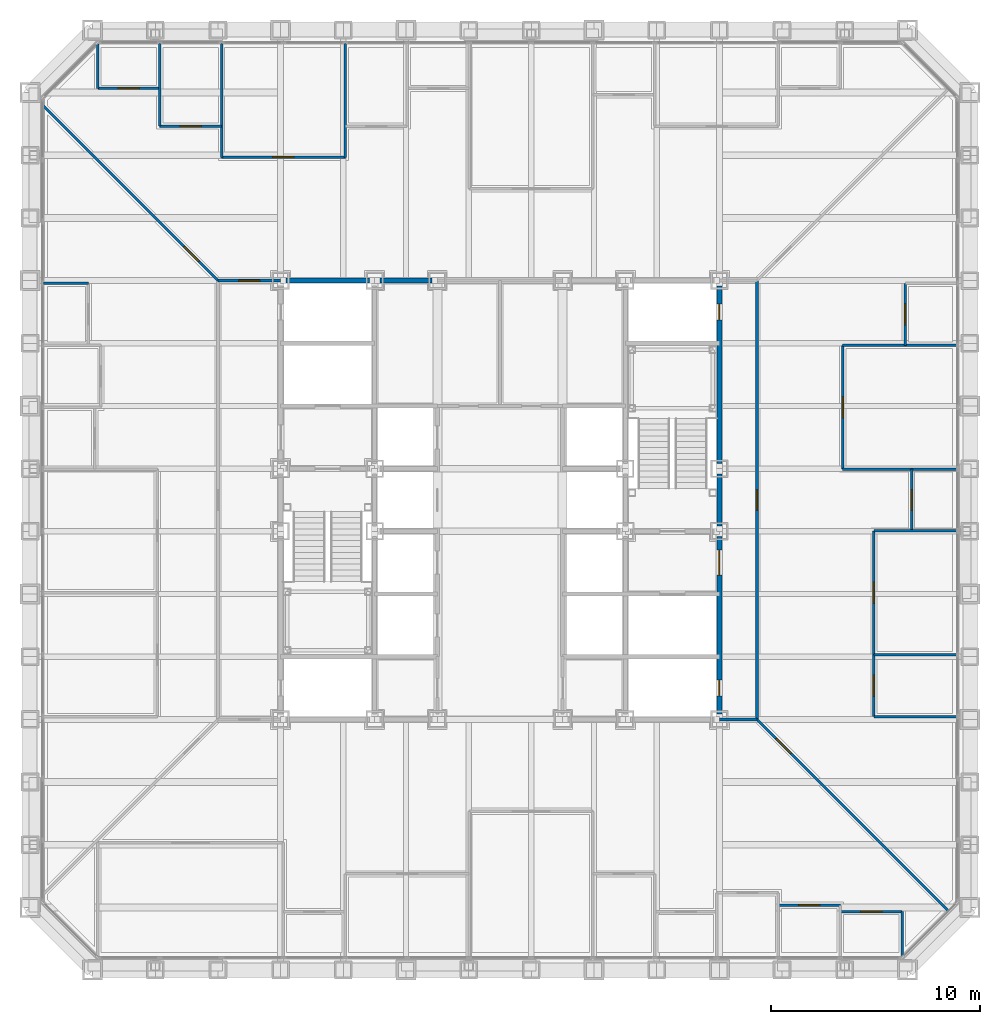
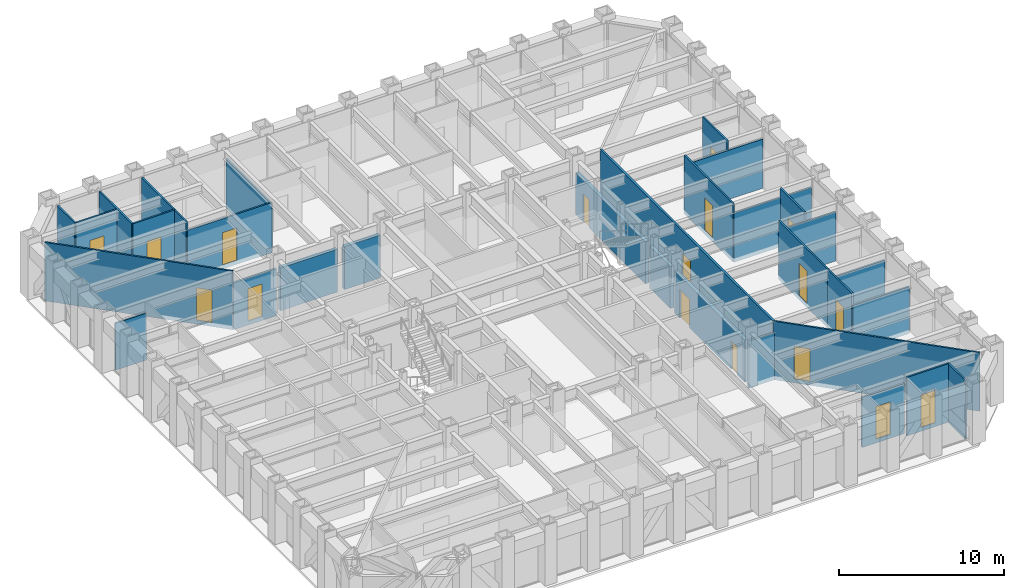
# One storey, part 10 of 17: 31 walls, 17 doors, 17 openings.
"""IFC4 building model written with IfcOpenShell, lengths in metres."""

import ifcopenshell
import ifcopenshell.guid

model = None  # the IFC model being written
_history = None  # IfcOwnerHistory: only IFC2X3 demands one
_inside = {}  # id of a spatial element -> (the spatial element, [elements in it])
_under = {}  # id of a project, library or spatial element -> (it, [spatial elements below it])
_declared = {}  # id of a project -> (the project, [libraries it declares])
_typed = {}  # id of a type object -> (the type object, [elements of that type])
_made_of = {}  # id of a material, layer set ... -> (it, [elements and type objects made of it])


def new_model(schema):
    """Start an empty IFC model of exactly this schema.

    Asked for "IFC4X3", IfcOpenShell would pick the latest addendum, in which some entities
    have other attributes; the version numbers below select the first issue.
    IFC2X3 requires an IfcOwnerHistory on every rooted entity: one is made here for all.
    """
    global model, _history
    if schema == "IFC4X3":
        model = ifcopenshell.file(schema_version=(4, 3, 0, 0))
    else:
        model = ifcopenshell.file(schema=schema)
    _inside.clear()
    _under.clear()
    _declared.clear()
    _typed.clear()
    _made_of.clear()
    _history = None
    if model.schema == "IFC2X3":
        org = make("IfcOrganization", Name="unknown")
        user = make(
            "IfcPersonAndOrganization",
            ThePerson=make("IfcPerson", FamilyName="unknown"),
            TheOrganization=org,
        )
        app = make(
            "IfcApplication",
            ApplicationDeveloper=org,
            Version="unknown",
            ApplicationFullName="unknown",
            ApplicationIdentifier="unknown",
        )
        _history = make(
            "IfcOwnerHistory",
            OwningUser=user,
            OwningApplication=app,
            ChangeAction="ADDED",
            CreationDate=0,
        )
    return model


def make(cls, **values):
    """One entity of the class cls with the attributes given. An attribute that is None is left unset."""
    return model.create_entity(
        cls, **{name: value for name, value in values.items() if value is not None}
    )


def rooted(cls, **values):
    """An entity with a GlobalId (a new one), such as an element, a storey or a relation."""
    return make(cls, GlobalId=ifcopenshell.guid.new(), OwnerHistory=_history, **values)


def si_unit(unit_type, name, prefix=None):
    """IfcSIUnit, for example si_unit("LENGTHUNIT", "METRE", prefix="MILLI")."""
    return make("IfcSIUnit", UnitType=unit_type, Prefix=prefix, Name=name)


def assignment(units):
    """IfcUnitAssignment: the units of a project."""
    return None if units is None else make("IfcUnitAssignment", Units=units)


def point(xyz):
    """IfcCartesianPoint."""
    return None if xyz is None else make("IfcCartesianPoint", Coordinates=xyz)


def direction(xyz):
    """IfcDirection."""
    return None if xyz is None else make("IfcDirection", DirectionRatios=xyz)


def frame(location, z_axis=None, x_axis=None):
    """IfcAxis2Placement3D, a coordinate frame: its origin and axes. An axis left out is left unset."""
    return make(
        "IfcAxis2Placement3D",
        Location=point(location),
        Axis=direction(z_axis),
        RefDirection=direction(x_axis),
    )


def frame_2d(location, x_axis=None):
    """IfcAxis2Placement2D, a coordinate frame in the plane: its origin and x axis."""
    return make(
        "IfcAxis2Placement2D", Location=point(location), RefDirection=direction(x_axis)
    )


def origin():
    """The frame at (0, 0, 0) with its axes left unset."""
    return frame((0.0, 0.0, 0.0))


def place(relative_to, where):
    """IfcLocalPlacement: puts the frame where relative to a parent placement (None: the world)."""
    return make(
        "IfcLocalPlacement", PlacementRelTo=relative_to, RelativePlacement=where
    )


def context(
    kind, dimensions, precision=None, world=None, true_north=None, identifier=None
):
    """IfcGeometricRepresentationContext, for example the 3D "Model" context."""
    return make(
        "IfcGeometricRepresentationContext",
        ContextIdentifier=identifier,
        ContextType=kind,
        CoordinateSpaceDimension=dimensions,
        Precision=precision,
        WorldCoordinateSystem=world,
        TrueNorth=true_north,
    )


def subcontext(parent, identifier, kind, view, scale=None):
    """IfcGeometricRepresentationSubContext, for example "Body" below "Model"."""
    return make(
        "IfcGeometricRepresentationSubContext",
        ContextIdentifier=identifier,
        ContextType=kind,
        ParentContext=parent,
        TargetScale=scale,
        TargetView=view,
    )


def project(units=None, contexts=None):
    """IfcProject with its units and contexts."""
    return rooted(
        "IfcProject",
        Name="project",
        RepresentationContexts=contexts,
        UnitsInContext=assignment(units),
    )


def spatial(cls, under=None, at=None, **own):
    """A site, building, storey or space (cls), placed at a placement, below another one or the project."""
    s = rooted(cls, ObjectPlacement=at, **own)
    if under is not None:
        _under.setdefault(under.id(), (under, []))[1].append(s)
    return s


def profile(cls, at=None, kind="AREA", **sizes):
    """A parametric profile (cls). Its sizes go by their IFC names, for example OverallWidth=200.0."""
    return make(cls, ProfileType=kind, Position=at, **sizes)


def rectangle(**sizes):
    """IfcRectangleProfileDef."""
    return profile("IfcRectangleProfileDef", **sizes)


def extrude(swept, where, along, depth):
    """IfcExtrudedAreaSolid: the profile swept, set in the frame where, extruded along a direction by depth."""
    return make(
        "IfcExtrudedAreaSolid",
        SweptArea=swept,
        Position=where,
        ExtrudedDirection=direction(along),
        Depth=depth,
    )


def shape(context_of_items, identifier, shape_type, items):
    """IfcShapeRepresentation: the items that make up one representation, for example the "Body"."""
    return make(
        "IfcShapeRepresentation",
        ContextOfItems=context_of_items,
        RepresentationIdentifier=identifier,
        RepresentationType=shape_type,
        Items=items,
    )


def material(Name=None, Category=None):
    """IfcMaterial."""
    return make("IfcMaterial", Name=Name, Category=Category)


def layer(
    of_material, thickness, ventilated=None, Name=None, Category=None, Priority=None
):
    """IfcMaterialLayer: one layer of a wall or slab, of a material (None: an air gap)."""
    return make(
        "IfcMaterialLayer",
        Material=of_material,
        LayerThickness=thickness,
        IsVentilated=ventilated,
        Name=Name,
        Category=Category,
        Priority=Priority,
    )


def layer_set(layers, Name=None):
    """IfcMaterialLayerSet."""
    return make("IfcMaterialLayerSet", MaterialLayers=layers, LayerSetName=Name)


def made_of(thing, what):
    """Note that an element or type object is made of a material, layer set ...; save() writes the relation."""
    if what is not None:
        _made_of.setdefault(what.id(), (what, []))[1].append(thing)
    return thing


def type_object(cls, material=None, **own):
    """A type object (cls), such as IfcWallType, which elements share."""
    return made_of(rooted(cls, **own), material)


def element(
    cls,
    number,
    at=None,
    inside=None,
    cuts=None,
    type_object=None,
    material=None,
    context=None,
    identifier="Body",
    shape_type=None,
    held_by="IfcProductDefinitionShape",
    body=None,
    shapes=None,
    **own,
):
    """One element of the class cls, such as IfcWall. Its Tag is "e" and its number.

    at: its placement. inside: the storey or other place that contains it. cuts: it is an
    opening in that element (IfcRelVoidsElement). A single representation is given by context,
    identifier, shape_type and body (its items); several are given by shapes. held_by: the class
    of the entity that holds the representations. save() writes the other relations.
    """
    e = rooted(cls, Tag="e%d" % number, ObjectPlacement=at, **own)
    if body is not None:
        shapes = [shape(context, identifier, shape_type, body)]
    if shapes is not None:
        e.Representation = make(held_by, Representations=shapes)
    if inside is not None:
        _inside.setdefault(inside.id(), (inside, []))[1].append(e)
    if cuts is not None:
        rooted(
            "IfcRelVoidsElement", RelatingBuildingElement=cuts, RelatedOpeningElement=e
        )
    if type_object is not None:
        _typed.setdefault(type_object.id(), (type_object, []))[1].append(e)
    return made_of(e, material)


def fill(opening, filler):
    """IfcRelFillsElement: the door or window that sits in an opening."""
    return rooted(
        "IfcRelFillsElement",
        RelatingOpeningElement=opening,
        RelatedBuildingElement=filler,
    )


def aggregate(whole, parts):
    """IfcRelAggregates: a whole, such as a stair, and the parts it consists of."""
    return rooted("IfcRelAggregates", RelatingObject=whole, RelatedObjects=parts)


def save(model, path):
    """Write the relations noted so far, then the file.

    IfcRelAggregates (storeys below a building ...), IfcRelContainedInSpatialStructure (elements
    in a storey), IfcRelDefinesByType, IfcRelAssociatesMaterial and IfcRelDeclares: one each for
    every whole, place, type object, material and project.
    """
    for whole, parts in _under.values():
        aggregate(whole, parts)
    for where, things in _inside.values():
        rooted(
            "IfcRelContainedInSpatialStructure",
            RelatedElements=things,
            RelatingStructure=where,
        )
    for kind, things in _typed.values():
        rooted("IfcRelDefinesByType", RelatedObjects=things, RelatingType=kind)
    for what, things in _made_of.values():
        rooted("IfcRelAssociatesMaterial", RelatedObjects=things, RelatingMaterial=what)
    for by, libraries in _declared.values():
        rooted("IfcRelDeclares", RelatingContext=by, RelatedDefinitions=libraries)
    model.write(path)


model = new_model("IFC4")

# Units and contexts
model_context = context("Model", 3, precision=1e-05, world=origin(), true_north=direction((0.0, 1.0)))
body_context = subcontext(model_context, "Body", "Model", "MODEL_VIEW")
ifc_project = project(units=[si_unit("LENGTHUNIT", "METRE"), si_unit("AREAUNIT", "SQUARE_METRE"), si_unit("VOLUMEUNIT", "CUBIC_METRE"), si_unit("PLANEANGLEUNIT", "RADIAN"), si_unit("MASSUNIT", "GRAM", prefix="KILO")], contexts=[model_context])

# Site, building, storey
site_placement = place(None, origin())
site = spatial("IfcSite", under=ifc_project, at=site_placement, CompositionType="ELEMENT")
building_placement = place(site_placement, origin())
building = spatial("IfcBuilding", under=site, at=building_placement, Name="Chuquiago Exchange Tower", CompositionType="ELEMENT")
storey_placement = place(building_placement, frame((0.0, 0.0, 87.300048828125)))
storey = spatial("IfcBuildingStorey", under=building, at=storey_placement, Name="L18", CompositionType="ELEMENT", Elevation=87.300048828125)

# Walls
ifc_material_1 = material(Name="Concrete masonry, fully grouted", Category="masonry")
ifc_layer_1 = layer(ifc_material_1, 0.25)
ifc_layer_set_1 = layer_set([ifc_layer_1], Name="W1 core wall 250")
wall_type_1 = type_object("IfcWallType", Name="W1 core wall 250", PredefinedType="SOLIDWALL", material=ifc_layer_set_1)
wall_1_placement = place(storey_placement, frame((12.25, 33.0, 0.0), z_axis=(0.0, 0.0, 1.0), x_axis=(1.0, 0.0, 0.0)))
element("IfcWall", 1, at=wall_1_placement, inside=storey, type_object=wall_type_1, Name="CW-L18-11-0", PredefinedType="SOLIDWALL", context=body_context, shape_type="SweptSolid", body=[
    extrude(rectangle(XDim=4.0, YDim=0.25, at=frame_2d((2.0, 0.0))), origin(), (0.0, 0.0, 1.0), 3.181396484375),
])
wall_2_placement = place(storey_placement, frame((16.75, 33.0, 0.0), z_axis=(0.0, 0.0, 1.0), x_axis=(1.0, 0.0, 0.0)))
element("IfcWall", 2, at=wall_2_placement, inside=storey, type_object=wall_type_1, Name="CW-L18-11-1", PredefinedType="SOLIDWALL", context=body_context, shape_type="SweptSolid", body=[
    extrude(rectangle(XDim=2.5, YDim=0.25, at=frame_2d((1.25, 0.0))), origin(), (0.0, 0.0, 1.0), 3.181396484375),
])

# Wall, openings, doors
wall_3_placement = place(storey_placement, frame((33.0, 12.25, 0.0), z_axis=(0.0, 0.0, 1.0), x_axis=(0.0, 1.0, 0.0)))
wall_3 = element("IfcWall", 3, at=wall_3_placement, inside=storey, type_object=wall_type_1, Name="CW-L18-25-0", PredefinedType="SOLIDWALL", context=body_context, shape_type="SweptSolid", body=[
    extrude(rectangle(XDim=8.5, YDim=0.25, at=frame_2d((4.25, 0.0))), origin(), (0.0, 0.0, 1.0), 3.11279296875),
])
opening_1_placement = place(wall_3_placement, frame((6.64990234375, 0.0, 0.0)))
opening_1 = element("IfcOpeningElement", 4, at=opening_1_placement, cuts=wall_3, Name="Opening L18-004", PredefinedType="OPENING", context=body_context, shape_type="SweptSolid", body=[
    extrude(rectangle(XDim=1.199951171875, YDim=2.10009765625, at=frame_2d((0.60009765625, 1.050048828125))), frame((0.0, 0.135009765625, 0.0), z_axis=(0.0, -1.0, 0.0), x_axis=(1.0, 0.0, 0.0)), (0.0, 0.0, 1.0), 0.27001953125),
])
opening_2_placement = place(wall_3_placement, frame((0.875, 0.0, 0.0)))
opening_2 = element("IfcOpeningElement", 5, at=opening_2_placement, cuts=wall_3, Name="Opening L18-009", PredefinedType="OPENING", context=body_context, shape_type="SweptSolid", body=[
    extrude(rectangle(XDim=0.75, YDim=2.10009765625, at=frame_2d((0.375, 1.050048828125))), frame((0.0, 0.135009765625, 0.0), z_axis=(0.0, -1.0, 0.0), x_axis=(1.0, 0.0, 0.0)), (0.0, 0.0, 1.0), 0.27001953125),
])
ifc_material_2 = material(Name="Steel door, painted", Category="steel")
door_type_1 = type_object("IfcDoorType", Name="D5 firefighting lobby door 1200x2100", OperationType="SINGLE_SWING_LEFT", PredefinedType="DOOR", material=ifc_material_2)
door_1_placement = place(opening_1_placement, origin())
door_1 = element("IfcDoor", 6, at=door_1_placement, inside=storey, type_object=door_type_1, Name="Firefighting lobby 2 door", OperationType="SINGLE_SWING_RIGHT", OverallHeight=2.10009765625, OverallWidth=1.199951171875, PredefinedType="DOOR", context=body_context, shape_type="SweptSolid", body=[
    extrude(rectangle(XDim=1.199951171875, YDim=2.10009765625, at=frame_2d((0.60009765625, 1.050048828125))), frame((0.0, 0.02490234375, 0.0), z_axis=(0.0, -1.0, 0.0), x_axis=(1.0, 0.0, 0.0)), (0.0, 0.0, 1.0), 0.050048828125),
])
fill(opening_1, door_1)
ifc_material_3 = material(Name="Steel door, painted", Category="steel")
door_type_2 = type_object("IfcDoorType", Name="D6 riser access door 750x2100", OperationType="SINGLE_SWING_LEFT", PredefinedType="DOOR", material=ifc_material_3)
door_2_placement = place(opening_2_placement, frame((0.75, 0.0, 0.0), z_axis=(0.0, 0.0, 1.0), x_axis=(-1.0, 0.0, 0.0)))
door_2 = element("IfcDoor", 7, at=door_2_placement, inside=storey, type_object=door_type_2, Name="Riser RE1 door", OperationType="SINGLE_SWING_RIGHT", OverallHeight=2.10009765625, OverallWidth=0.75, PredefinedType="DOOR", context=body_context, shape_type="SweptSolid", body=[
    extrude(rectangle(XDim=0.75, YDim=2.10009765625, at=frame_2d((0.375, 1.050048828125))), frame((0.0, 0.02490234375, 0.0), z_axis=(0.0, -1.0, 0.0), x_axis=(1.0, 0.0, 0.0)), (0.0, 0.0, 1.0), 0.050048828125),
])
fill(opening_2, door_2)

# Wall
wall_4_placement = place(storey_placement, frame((33.0, 21.25, 0.0), z_axis=(0.0, 0.0, 1.0), x_axis=(0.0, 1.0, 0.0)))
element("IfcWall", 8, at=wall_4_placement, inside=storey, type_object=wall_type_1, Name="CW-L18-25-1", PredefinedType="SOLIDWALL", context=body_context, shape_type="SweptSolid", body=[
    extrude(rectangle(XDim=2.5, YDim=0.25, at=frame_2d((1.25, 0.0))), origin(), (0.0, 0.0, 1.0), 3.11279296875),
])

# Wall, opening, door
wall_5_placement = place(storey_placement, frame((33.0, 24.25, 0.0), z_axis=(0.0, 0.0, 1.0), x_axis=(0.0, 1.0, 0.0)))
wall_5 = element("IfcWall", 9, at=wall_5_placement, inside=storey, type_object=wall_type_1, Name="CW-L18-25-2", PredefinedType="SOLIDWALL", context=body_context, shape_type="SweptSolid", body=[
    extrude(rectangle(XDim=8.5, YDim=0.25, at=frame_2d((4.25, 0.0))), origin(), (0.0, 0.0, 1.0), 3.11279296875),
])
opening_3_placement = place(wall_5_placement, frame((6.875, 0.0, 0.0)))
opening_3 = element("IfcOpeningElement", 10, at=opening_3_placement, cuts=wall_5, Name="Opening L18-010", PredefinedType="OPENING", context=body_context, shape_type="SweptSolid", body=[
    extrude(rectangle(XDim=0.75, YDim=2.10009765625, at=frame_2d((0.375, 1.050048828125))), frame((0.0, 0.135009765625, 0.0), z_axis=(0.0, -1.0, 0.0), x_axis=(1.0, 0.0, 0.0)), (0.0, 0.0, 1.0), 0.27001953125),
])
door_3_placement = place(opening_3_placement, frame((0.75, 0.0, 0.0), z_axis=(0.0, 0.0, 1.0), x_axis=(-1.0, 0.0, 0.0)))
door_3 = element("IfcDoor", 11, at=door_3_placement, inside=storey, type_object=door_type_2, Name="Riser RE2 door", OperationType="SINGLE_SWING_LEFT", OverallHeight=2.10009765625, OverallWidth=0.75, PredefinedType="DOOR", context=body_context, shape_type="SweptSolid", body=[
    extrude(rectangle(XDim=0.75, YDim=2.10009765625, at=frame_2d((0.375, 1.050048828125))), frame((0.0, 0.02490234375, 0.0), z_axis=(0.0, -1.0, 0.0), x_axis=(1.0, 0.0, 0.0)), (0.0, 0.0, 1.0), 0.050048828125),
])
fill(opening_3, door_3)

ifc_material_4 = material(Name="Gypsum board on steel studs, acoustic insulation", Category="steel")
ifc_layer_2 = layer(ifc_material_4, 0.14990234375)
ifc_layer_set_2 = layer_set([ifc_layer_2], Name="W11 corridor wall 150")
wall_type_2 = type_object("IfcWallType", Name="W11 corridor wall 150", PredefinedType="PARTITIONING", material=ifc_layer_set_2)
wall_6_placement = place(storey_placement, frame((9.0, 33.0, -0.300048828125), z_axis=(0.0, 0.0, 1.0), x_axis=(1.0, 0.0, 0.0)))
wall_6 = element("IfcWall", 12, at=wall_6_placement, inside=storey, type_object=wall_type_2, Name="PW-L18-GWN0", PredefinedType="PARTITIONING", context=body_context, shape_type="SweptSolid", body=[
    extrude(rectangle(XDim=3.0, YDim=0.14990234375, at=frame_2d((1.5, 0.0))), origin(), (0.0, 0.0, 1.0), 3.4814453125),
])
opening_4_placement = place(wall_6_placement, frame((1.0, 0.0, 0.300048828125)))
opening_4 = element("IfcOpeningElement", 13, at=opening_4_placement, cuts=wall_6, Name="Opening L18-048", PredefinedType="OPENING", context=body_context, shape_type="SweptSolid", body=[
    extrude(rectangle(XDim=1.0, YDim=2.39990234375, at=frame_2d((0.5, 1.199951171875))), frame((0.0, 0.0849609375, 0.0), z_axis=(0.0, -1.0, 0.0), x_axis=(1.0, 0.0, 0.0)), (0.0, 0.0, 1.0), 0.169921875),
])
ifc_material_5 = material(Name="Timber door, laminate faced", Category="wood")
door_type_3 = type_object("IfcDoorType", Name="D9 room door 1000x2400", OperationType="SINGLE_SWING_LEFT", PredefinedType="DOOR", material=ifc_material_5)
door_4_placement = place(opening_4_placement, frame((1.0, 0.0, 0.0), z_axis=(0.0, 0.0, 1.0), x_axis=(-1.0, 0.0, 0.0)))
door_4 = element("IfcDoor", 14, at=door_4_placement, inside=storey, type_object=door_type_3, Name="Team area door", OperationType="SINGLE_SWING_LEFT", OverallHeight=2.39990234375, OverallWidth=1.0, PredefinedType="DOOR", context=body_context, shape_type="SweptSolid", body=[
    extrude(rectangle(XDim=1.0, YDim=2.39990234375, at=frame_2d((0.5, 1.199951171875))), frame((0.0, 0.02490234375, 0.0), z_axis=(0.0, -1.0, 0.0), x_axis=(1.0, 0.0, 0.0)), (0.0, 0.0, 1.0), 0.050048828125),
])
fill(opening_4, door_4)

wall_7_placement = place(storey_placement, frame((34.800048828125, 12.0, -0.300048828125), z_axis=(0.0, 0.0, 1.0), x_axis=(0.0, 1.0, 0.0)))
wall_7 = element("IfcWall", 15, at=wall_7_placement, inside=storey, type_object=wall_type_2, Name="PW-L18-GE0", PredefinedType="PARTITIONING", context=body_context, shape_type="SweptSolid", body=[
    extrude(rectangle(XDim=21.0, YDim=0.14990234375, at=frame_2d((10.5, 0.0))), origin(), (0.0, 0.0, 1.0), 4.340087890625),
])
opening_5_placement = place(wall_7_placement, frame((10.0, 0.0, 0.300048828125)))
opening_5 = element("IfcOpeningElement", 16, at=opening_5_placement, cuts=wall_7, Name="Opening L18-050", PredefinedType="OPENING", context=body_context, shape_type="SweptSolid", body=[
    extrude(rectangle(XDim=1.0, YDim=2.39990234375, at=frame_2d((0.5, 1.199951171875))), frame((0.0, 0.0849609375, 0.0), z_axis=(0.0, -1.0, 0.0), x_axis=(1.0, 0.0, 0.0)), (0.0, 0.0, 1.0), 0.169921875),
])
door_5_placement = place(opening_5_placement, frame((1.0, 0.0, 0.0), z_axis=(0.0, 0.0, 1.0), x_axis=(-1.0, 0.0, 0.0)))
door_5 = element("IfcDoor", 17, at=door_5_placement, inside=storey, type_object=door_type_3, Name="Team area door", OperationType="SINGLE_SWING_RIGHT", OverallHeight=2.39990234375, OverallWidth=1.0, PredefinedType="DOOR", context=body_context, shape_type="SweptSolid", body=[
    extrude(rectangle(XDim=1.0, YDim=2.39990234375, at=frame_2d((0.5, 1.199951171875))), frame((0.0, 0.02490234375, 0.0), z_axis=(0.0, -1.0, 0.0), x_axis=(1.0, 0.0, 0.0)), (0.0, 0.0, 1.0), 0.050048828125),
])
fill(opening_5, door_5)

# Walls
wall_8_placement = place(storey_placement, frame((33.0, 12.0, -0.300048828125), z_axis=(0.0, 0.0, 1.0), x_axis=(1.0, 0.0, 0.0)))
element("IfcWall", 18, at=wall_8_placement, inside=storey, type_object=wall_type_2, Name="PW-L18-GES0", PredefinedType="PARTITIONING", context=body_context, shape_type="SweptSolid", body=[
    extrude(rectangle(XDim=1.800048828125, YDim=0.14990234375, at=frame_2d((0.89990234375, 0.0))), origin(), (0.0, 0.0, 1.0), 3.4814453125),
])
ifc_material_6 = material(Name="Gypsum board on steel studs", Category="steel")
ifc_layer_3 = layer(ifc_material_6, 0.1201171875)
ifc_layer_set_3 = layer_set([ifc_layer_3], Name="W4 partition 120")
wall_type_3 = type_object("IfcWallType", Name="W4 partition 120", PredefinedType="PARTITIONING", material=ifc_layer_set_3)
wall_9_placement = place(storey_placement, frame((41.75146484375, 0.666015625, -0.300048828125), z_axis=(0.0, 0.0, 1.0), x_axis=(0.0, 1.0, 0.0)))
element("IfcWall", 19, at=wall_9_placement, inside=storey, type_object=wall_type_3, Name="PW-L18-S04175", PredefinedType="PARTITIONING", context=body_context, shape_type="SweptSolid", body=[
    extrude(rectangle(XDim=2.134033203125, YDim=0.1201171875, at=frame_2d((1.06689453125, 0.0))), origin(), (0.0, 0.0, 1.0), 4.340087890625),
])

# Wall, opening, door
wall_10_placement = place(storey_placement, frame((35.827880859375, 3.10009765625, -0.300048828125), z_axis=(0.0, 0.0, 1.0), x_axis=(1.0, 0.0, 0.0)))
wall_10 = element("IfcWall", 20, at=wall_10_placement, inside=storey, type_object=wall_type_3, Name="PW-L18-SF03583", PredefinedType="PARTITIONING", context=body_context, shape_type="SweptSolid", body=[
    extrude(rectangle(XDim=2.9619140625, YDim=0.1201171875, at=frame_2d((1.48095703125, 0.0))), origin(), (0.0, 0.0, 1.0), 3.722900390625),
])
opening_6_placement = place(wall_10_placement, frame((0.98095703125, 0.0, 0.300048828125)))
opening_6 = element("IfcOpeningElement", 21, at=opening_6_placement, cuts=wall_10, Name="Opening L18-026", PredefinedType="OPENING", context=body_context, shape_type="SweptSolid", body=[
    extrude(rectangle(XDim=1.0, YDim=2.39990234375, at=frame_2d((0.5, 1.199951171875))), frame((0.0, 0.070068359375, 0.0), z_axis=(0.0, -1.0, 0.0), x_axis=(1.0, 0.0, 0.0)), (0.0, 0.0, 1.0), 0.14013671875),
])
door_6_placement = place(opening_6_placement, frame((1.0, 0.0, 0.0), z_axis=(0.0, 0.0, 1.0), x_axis=(-1.0, 0.0, 0.0)))
door_6 = element("IfcDoor", 22, at=door_6_placement, inside=storey, type_object=door_type_3, Name="Store door", OperationType="SINGLE_SWING_RIGHT", OverallHeight=2.39990234375, OverallWidth=1.0, PredefinedType="DOOR", context=body_context, shape_type="SweptSolid", body=[
    extrude(rectangle(XDim=1.0, YDim=2.39990234375, at=frame_2d((0.5, 1.199951171875))), frame((0.0, 0.02490234375, 0.0), z_axis=(0.0, -1.0, 0.0), x_axis=(1.0, 0.0, 0.0)), (0.0, 0.0, 1.0), 0.050048828125),
])
fill(opening_6, door_6)

wall_11_placement = place(storey_placement, frame((38.789794921875, 2.800048828125, -0.300048828125), z_axis=(0.0, 0.0, 1.0), x_axis=(1.0, 0.0, 0.0)))
wall_11 = element("IfcWall", 23, at=wall_11_placement, inside=storey, type_object=wall_type_3, Name="PW-L18-SF03879", PredefinedType="PARTITIONING", context=body_context, shape_type="SweptSolid", body=[
    extrude(rectangle(XDim=2.961669921875, YDim=0.1201171875, at=frame_2d((1.48095703125, 0.0))), origin(), (0.0, 0.0, 1.0), 4.340087890625),
])
opening_7_placement = place(wall_11_placement, frame((0.98095703125, 0.0, 0.300048828125)))
opening_7 = element("IfcOpeningElement", 24, at=opening_7_placement, cuts=wall_11, Name="Opening L18-027", PredefinedType="OPENING", context=body_context, shape_type="SweptSolid", body=[
    extrude(rectangle(XDim=1.0, YDim=2.39990234375, at=frame_2d((0.5, 1.199951171875))), frame((0.0, 0.070068359375, 0.0), z_axis=(0.0, -1.0, 0.0), x_axis=(1.0, 0.0, 0.0)), (0.0, 0.0, 1.0), 0.14013671875),
])
ifc_material_7 = material(Name="Timber frame door, full height glazed panel", Category="wood")
door_type_4 = type_object("IfcDoorType", Name="D14 glazed meeting room door 1000x2400", OperationType="SINGLE_SWING_LEFT", PredefinedType="DOOR", material=ifc_material_7)
door_7_placement = place(opening_7_placement, frame((1.0, 0.0, 0.0), z_axis=(0.0, 0.0, 1.0), x_axis=(-1.0, 0.0, 0.0)))
door_7 = element("IfcDoor", 25, at=door_7_placement, inside=storey, type_object=door_type_4, Name="Focus room door", OperationType="SINGLE_SWING_LEFT", OverallHeight=2.39990234375, OverallWidth=1.0, PredefinedType="DOOR", context=body_context, shape_type="SweptSolid", body=[
    extrude(rectangle(XDim=1.0, YDim=2.39990234375, at=frame_2d((0.5, 1.199951171875))), frame((0.0, 0.02490234375, 0.0), z_axis=(0.0, -1.0, 0.0), x_axis=(1.0, 0.0, 0.0)), (0.0, 0.0, 1.0), 0.050048828125),
])
fill(opening_7, door_7)

# Walls
wall_12_placement = place(storey_placement, frame((44.342529296875, 12.1337890625, -0.300048828125), z_axis=(0.0, 0.0, 1.0), x_axis=(-1.0, 0.0, 0.0)))
element("IfcWall", 26, at=wall_12_placement, inside=storey, type_object=wall_type_3, Name="PW-L18-E01213", PredefinedType="PARTITIONING", context=body_context, shape_type="SweptSolid", body=[
    extrude(rectangle(XDim=3.942626953125, YDim=0.1201171875, at=frame_2d((1.97119140625, 0.0))), origin(), (0.0, 0.0, 1.0), 3.4814453125),
])
for number, where, z_axis, x_axis, name in (
    (27, (44.342529296875, 15.095703125, -0.300048828125), (0.0, 0.0, 1.0), (-1.0, 0.0, 0.0), "PW-L18-E01510"),
    (28, (44.342529296875, 21.01904296875, -0.300048828125), (0.0, 0.0, 1.0), (-1.0, 0.0, 0.0), "PW-L18-E02102"),
):
    element("IfcWall", number, at=place(storey_placement, frame(where, z_axis=z_axis, x_axis=x_axis)), inside=storey, type_object=wall_type_3, Name=name, PredefinedType="PARTITIONING", context=body_context, shape_type="SweptSolid", body=[
        extrude(rectangle(XDim=3.942626953125, YDim=0.1201171875, at=frame_2d((1.97119140625, 0.0))), origin(), (0.0, 0.0, 1.0), 3.646484375),
    ])
for number, where, z_axis, x_axis, name in (
    (29, (44.342529296875, 23.98095703125, -0.300048828125), (0.0, 0.0, 1.0), (-1.0, 0.0, 0.0), "PW-L18-E02398"),
    (30, (44.342529296875, 29.904296875, -0.300048828125), (0.0, 0.0, 1.0), (-1.0, 0.0, 0.0), "PW-L18-E02990"),
):
    element("IfcWall", number, at=place(storey_placement, frame(where, z_axis=z_axis, x_axis=x_axis)), inside=storey, type_object=wall_type_3, Name=name, PredefinedType="PARTITIONING", context=body_context, shape_type="SweptSolid", body=[
        extrude(rectangle(XDim=5.442626953125, YDim=0.1201171875, at=frame_2d((2.72119140625, 0.0))), origin(), (0.0, 0.0, 1.0), 3.646484375),
    ])

# Wall, opening, door
wall_13_placement = place(storey_placement, frame((40.39990234375, 12.1337890625, -0.300048828125), z_axis=(0.0, 0.0, 1.0), x_axis=(0.0, 1.0, 0.0)))
wall_13 = element("IfcWall", 31, at=wall_13_placement, inside=storey, type_object=wall_type_3, Name="PW-L18-EF01213", PredefinedType="PARTITIONING", context=body_context, shape_type="SweptSolid", body=[
    extrude(rectangle(XDim=2.9619140625, YDim=0.1201171875, at=frame_2d((1.48095703125, 0.0))), origin(), (0.0, 0.0, 1.0), 4.340087890625),
])
opening_8_placement = place(wall_13_placement, frame((0.98095703125, 0.0, 0.300048828125)))
opening_8 = element("IfcOpeningElement", 32, at=opening_8_placement, cuts=wall_13, Name="Opening L18-028", PredefinedType="OPENING", context=body_context, shape_type="SweptSolid", body=[
    extrude(rectangle(XDim=1.0, YDim=2.39990234375, at=frame_2d((0.5, 1.199951171875))), frame((0.0, 0.070068359375, 0.0), z_axis=(0.0, -1.0, 0.0), x_axis=(1.0, 0.0, 0.0)), (0.0, 0.0, 1.0), 0.14013671875),
])
door_8_placement = place(opening_8_placement, frame((1.0, 0.0, 0.0), z_axis=(0.0, 0.0, 1.0), x_axis=(-1.0, 0.0, 0.0)))
door_8 = element("IfcDoor", 33, at=door_8_placement, inside=storey, type_object=door_type_3, Name="Office door", OperationType="SINGLE_SWING_LEFT", OverallHeight=2.39990234375, OverallWidth=1.0, PredefinedType="DOOR", context=body_context, shape_type="SweptSolid", body=[
    extrude(rectangle(XDim=1.0, YDim=2.39990234375, at=frame_2d((0.5, 1.199951171875))), frame((0.0, 0.02490234375, 0.0), z_axis=(0.0, -1.0, 0.0), x_axis=(1.0, 0.0, 0.0)), (0.0, 0.0, 1.0), 0.050048828125),
])
fill(opening_8, door_8)

wall_14_placement = place(storey_placement, frame((40.39990234375, 15.095703125, -0.300048828125), z_axis=(0.0, 0.0, 1.0), x_axis=(0.0, 1.0, 0.0)))
wall_14 = element("IfcWall", 34, at=wall_14_placement, inside=storey, type_object=wall_type_3, Name="PW-L18-EF01510", PredefinedType="PARTITIONING", context=body_context, shape_type="SweptSolid", body=[
    extrude(rectangle(XDim=5.92333984375, YDim=0.1201171875, at=frame_2d((2.961669921875, 0.0))), origin(), (0.0, 0.0, 1.0), 4.340087890625),
])
opening_9_placement = place(wall_14_placement, frame((2.4619140625, 0.0, 0.300048828125)))
opening_9 = element("IfcOpeningElement", 35, at=opening_9_placement, cuts=wall_14, Name="Opening L18-029", PredefinedType="OPENING", context=body_context, shape_type="SweptSolid", body=[
    extrude(rectangle(XDim=1.0, YDim=2.39990234375, at=frame_2d((0.5, 1.199951171875))), frame((0.0, 0.070068359375, 0.0), z_axis=(0.0, -1.0, 0.0), x_axis=(1.0, 0.0, 0.0)), (0.0, 0.0, 1.0), 0.14013671875),
])
door_9_placement = place(opening_9_placement, frame((1.0, 0.0, 0.0), z_axis=(0.0, 0.0, 1.0), x_axis=(-1.0, 0.0, 0.0)))
door_9 = element("IfcDoor", 36, at=door_9_placement, inside=storey, type_object=door_type_4, Name="Meeting room door", OperationType="SINGLE_SWING_LEFT", OverallHeight=2.39990234375, OverallWidth=1.0, PredefinedType="DOOR", context=body_context, shape_type="SweptSolid", body=[
    extrude(rectangle(XDim=1.0, YDim=2.39990234375, at=frame_2d((0.5, 1.199951171875))), frame((0.0, 0.02490234375, 0.0), z_axis=(0.0, -1.0, 0.0), x_axis=(1.0, 0.0, 0.0)), (0.0, 0.0, 1.0), 0.050048828125),
])
fill(opening_9, door_9)

wall_15_placement = place(storey_placement, frame((42.199951171875, 21.01904296875, -0.300048828125), z_axis=(0.0, 0.0, 1.0), x_axis=(0.0, 1.0, 0.0)))
wall_15 = element("IfcWall", 37, at=wall_15_placement, inside=storey, type_object=wall_type_3, Name="PW-L18-EF02102", PredefinedType="PARTITIONING", context=body_context, shape_type="SweptSolid", body=[
    extrude(rectangle(XDim=2.9619140625, YDim=0.1201171875, at=frame_2d((1.48095703125, 0.0))), origin(), (0.0, 0.0, 1.0), 4.340087890625),
])
opening_10_placement = place(wall_15_placement, frame((0.98095703125, 0.0, 0.300048828125)))
opening_10 = element("IfcOpeningElement", 38, at=opening_10_placement, cuts=wall_15, Name="Opening L18-030", PredefinedType="OPENING", context=body_context, shape_type="SweptSolid", body=[
    extrude(rectangle(XDim=1.0, YDim=2.39990234375, at=frame_2d((0.5, 1.199951171875))), frame((0.0, 0.070068359375, 0.0), z_axis=(0.0, -1.0, 0.0), x_axis=(1.0, 0.0, 0.0)), (0.0, 0.0, 1.0), 0.14013671875),
])
door_10_placement = place(opening_10_placement, frame((1.0, 0.0, 0.0), z_axis=(0.0, 0.0, 1.0), x_axis=(-1.0, 0.0, 0.0)))
door_10 = element("IfcDoor", 39, at=door_10_placement, inside=storey, type_object=door_type_4, Name="Focus room door", OperationType="SINGLE_SWING_LEFT", OverallHeight=2.39990234375, OverallWidth=1.0, PredefinedType="DOOR", context=body_context, shape_type="SweptSolid", body=[
    extrude(rectangle(XDim=1.0, YDim=2.39990234375, at=frame_2d((0.5, 1.199951171875))), frame((0.0, 0.02490234375, 0.0), z_axis=(0.0, -1.0, 0.0), x_axis=(1.0, 0.0, 0.0)), (0.0, 0.0, 1.0), 0.050048828125),
])
fill(opening_10, door_10)

wall_16_placement = place(storey_placement, frame((38.89990234375, 23.98095703125, -0.300048828125), z_axis=(0.0, 0.0, 1.0), x_axis=(0.0, 1.0, 0.0)))
wall_16 = element("IfcWall", 40, at=wall_16_placement, inside=storey, type_object=wall_type_3, Name="PW-L18-EF02398", PredefinedType="PARTITIONING", context=body_context, shape_type="SweptSolid", body=[
    extrude(rectangle(XDim=5.92333984375, YDim=0.1201171875, at=frame_2d((2.961669921875, 0.0))), origin(), (0.0, 0.0, 1.0), 4.340087890625),
])
opening_11_placement = place(wall_16_placement, frame((2.4619140625, 0.0, 0.300048828125)))
opening_11 = element("IfcOpeningElement", 41, at=opening_11_placement, cuts=wall_16, Name="Opening L18-031", PredefinedType="OPENING", context=body_context, shape_type="SweptSolid", body=[
    extrude(rectangle(XDim=1.0, YDim=2.39990234375, at=frame_2d((0.5, 1.199951171875))), frame((0.0, 0.070068359375, 0.0), z_axis=(0.0, -1.0, 0.0), x_axis=(1.0, 0.0, 0.0)), (0.0, 0.0, 1.0), 0.14013671875),
])
door_11_placement = place(opening_11_placement, frame((1.0, 0.0, 0.0), z_axis=(0.0, 0.0, 1.0), x_axis=(-1.0, 0.0, 0.0)))
door_11 = element("IfcDoor", 42, at=door_11_placement, inside=storey, type_object=door_type_4, Name="Conference room door", OperationType="SINGLE_SWING_LEFT", OverallHeight=2.39990234375, OverallWidth=1.0, PredefinedType="DOOR", context=body_context, shape_type="SweptSolid", body=[
    extrude(rectangle(XDim=1.0, YDim=2.39990234375, at=frame_2d((0.5, 1.199951171875))), frame((0.0, 0.02490234375, 0.0), z_axis=(0.0, -1.0, 0.0), x_axis=(1.0, 0.0, 0.0)), (0.0, 0.0, 1.0), 0.050048828125),
])
fill(opening_11, door_11)

wall_17_placement = place(storey_placement, frame((41.89990234375, 29.904296875, -0.300048828125), z_axis=(0.0, 0.0, 1.0), x_axis=(0.0, 1.0, 0.0)))
wall_17 = element("IfcWall", 43, at=wall_17_placement, inside=storey, type_object=wall_type_3, Name="PW-L18-EF02990", PredefinedType="PARTITIONING", context=body_context, shape_type="SweptSolid", body=[
    extrude(rectangle(XDim=2.9619140625, YDim=0.1201171875, at=frame_2d((1.48095703125, 0.0))), origin(), (0.0, 0.0, 1.0), 4.340087890625),
])
opening_12_placement = place(wall_17_placement, frame((0.98095703125, 0.0, 0.300048828125)))
opening_12 = element("IfcOpeningElement", 44, at=opening_12_placement, cuts=wall_17, Name="Opening L18-032", PredefinedType="OPENING", context=body_context, shape_type="SweptSolid", body=[
    extrude(rectangle(XDim=1.0, YDim=2.39990234375, at=frame_2d((0.5, 1.199951171875))), frame((0.0, 0.070068359375, 0.0), z_axis=(0.0, -1.0, 0.0), x_axis=(1.0, 0.0, 0.0)), (0.0, 0.0, 1.0), 0.14013671875),
])
door_12_placement = place(opening_12_placement, frame((1.0, 0.0, 0.0), z_axis=(0.0, 0.0, 1.0), x_axis=(-1.0, 0.0, 0.0)))
door_12 = element("IfcDoor", 45, at=door_12_placement, inside=storey, type_object=door_type_3, Name="Store door", OperationType="SINGLE_SWING_RIGHT", OverallHeight=2.39990234375, OverallWidth=1.0, PredefinedType="DOOR", context=body_context, shape_type="SweptSolid", body=[
    extrude(rectangle(XDim=1.0, YDim=2.39990234375, at=frame_2d((0.5, 1.199951171875))), frame((0.0, 0.02490234375, 0.0), z_axis=(0.0, -1.0, 0.0), x_axis=(1.0, 0.0, 0.0)), (0.0, 0.0, 1.0), 0.050048828125),
])
fill(opening_12, door_12)

# Walls
wall_18_placement = place(storey_placement, frame((3.24853515625, 44.333984375, -0.300048828125), z_axis=(0.0, 0.0, 1.0), x_axis=(0.0, -1.0, 0.0)))
element("IfcWall", 46, at=wall_18_placement, inside=storey, type_object=wall_type_3, Name="PW-L18-N00325", PredefinedType="PARTITIONING", context=body_context, shape_type="SweptSolid", body=[
    extrude(rectangle(XDim=2.134033203125, YDim=0.1201171875, at=frame_2d((1.06689453125, 0.0))), origin(), (0.0, 0.0, 1.0), 4.340087890625),
])
wall_19_placement = place(storey_placement, frame((6.210205078125, 44.342529296875, -0.300048828125), z_axis=(0.0, 0.0, 1.0), x_axis=(0.0, -1.0, 0.0)))
element("IfcWall", 47, at=wall_19_placement, inside=storey, type_object=wall_type_3, Name="PW-L18-N00621", PredefinedType="PARTITIONING", context=body_context, shape_type="SweptSolid", body=[
    extrude(rectangle(XDim=3.942626953125, YDim=0.1201171875, at=frame_2d((1.97119140625, 0.0))), origin(), (0.0, 0.0, 1.0), 4.340087890625),
])
wall_20_placement = place(storey_placement, frame((9.172119140625, 44.342529296875, -0.300048828125), z_axis=(0.0, 0.0, 1.0), x_axis=(0.0, -1.0, 0.0)))
element("IfcWall", 48, at=wall_20_placement, inside=storey, type_object=wall_type_3, Name="PW-L18-N00917", PredefinedType="PARTITIONING", context=body_context, shape_type="SweptSolid", body=[
    extrude(rectangle(XDim=5.442626953125, YDim=0.1201171875, at=frame_2d((2.72119140625, 0.0))), origin(), (0.0, 0.0, 1.0), 4.340087890625),
])
wall_21_placement = place(storey_placement, frame((15.095703125, 44.342529296875, -0.300048828125), z_axis=(0.0, 0.0, 1.0), x_axis=(0.0, -1.0, 0.0)))
element("IfcWall", 49, at=wall_21_placement, inside=storey, type_object=wall_type_3, Name="PW-L18-N01510", PredefinedType="PARTITIONING", context=body_context, shape_type="SweptSolid", body=[
    extrude(rectangle(XDim=5.442626953125, YDim=0.1201171875, at=frame_2d((2.72119140625, 0.0))), origin(), (0.0, 0.0, 1.0), 3.646484375),
])

# Wall, opening, door
wall_22_placement = place(storey_placement, frame((3.24853515625, 42.199951171875, -0.300048828125), z_axis=(0.0, 0.0, 1.0), x_axis=(1.0, 0.0, 0.0)))
wall_22 = element("IfcWall", 50, at=wall_22_placement, inside=storey, type_object=wall_type_3, Name="PW-L18-NF00325", PredefinedType="PARTITIONING", context=body_context, shape_type="SweptSolid", body=[
    extrude(rectangle(XDim=2.961669921875, YDim=0.1201171875, at=frame_2d((1.48095703125, 0.0))), origin(), (0.0, 0.0, 1.0), 4.340087890625),
])
opening_13_placement = place(wall_22_placement, frame((0.98095703125, 0.0, 0.300048828125)))
opening_13 = element("IfcOpeningElement", 51, at=opening_13_placement, cuts=wall_22, Name="Opening L18-033", PredefinedType="OPENING", context=body_context, shape_type="SweptSolid", body=[
    extrude(rectangle(XDim=1.0, YDim=2.39990234375, at=frame_2d((0.5, 1.199951171875))), frame((0.0, 0.070068359375, 0.0), z_axis=(0.0, -1.0, 0.0), x_axis=(1.0, 0.0, 0.0)), (0.0, 0.0, 1.0), 0.14013671875),
])
door_13_placement = place(opening_13_placement, origin())
door_13 = element("IfcDoor", 52, at=door_13_placement, inside=storey, type_object=door_type_4, Name="Focus room door", OperationType="SINGLE_SWING_LEFT", OverallHeight=2.39990234375, OverallWidth=1.0, PredefinedType="DOOR", context=body_context, shape_type="SweptSolid", body=[
    extrude(rectangle(XDim=1.0, YDim=2.39990234375, at=frame_2d((0.5, 1.199951171875))), frame((0.0, 0.02490234375, 0.0), z_axis=(0.0, -1.0, 0.0), x_axis=(1.0, 0.0, 0.0)), (0.0, 0.0, 1.0), 0.050048828125),
])
fill(opening_13, door_13)

wall_23_placement = place(storey_placement, frame((6.210205078125, 40.39990234375, -0.300048828125), z_axis=(0.0, 0.0, 1.0), x_axis=(1.0, 0.0, 0.0)))
wall_23 = element("IfcWall", 53, at=wall_23_placement, inside=storey, type_object=wall_type_3, Name="PW-L18-NF00621", PredefinedType="PARTITIONING", context=body_context, shape_type="SweptSolid", body=[
    extrude(rectangle(XDim=2.9619140625, YDim=0.1201171875, at=frame_2d((1.48095703125, 0.0))), origin(), (0.0, 0.0, 1.0), 4.340087890625),
])
opening_14_placement = place(wall_23_placement, frame((0.98095703125, 0.0, 0.300048828125)))
opening_14 = element("IfcOpeningElement", 54, at=opening_14_placement, cuts=wall_23, Name="Opening L18-034", PredefinedType="OPENING", context=body_context, shape_type="SweptSolid", body=[
    extrude(rectangle(XDim=1.0, YDim=2.39990234375, at=frame_2d((0.5, 1.199951171875))), frame((0.0, 0.070068359375, 0.0), z_axis=(0.0, -1.0, 0.0), x_axis=(1.0, 0.0, 0.0)), (0.0, 0.0, 1.0), 0.14013671875),
])
door_14_placement = place(opening_14_placement, origin())
door_14 = element("IfcDoor", 55, at=door_14_placement, inside=storey, type_object=door_type_4, Name="Meeting room door", OperationType="SINGLE_SWING_LEFT", OverallHeight=2.39990234375, OverallWidth=1.0, PredefinedType="DOOR", context=body_context, shape_type="SweptSolid", body=[
    extrude(rectangle(XDim=1.0, YDim=2.39990234375, at=frame_2d((0.5, 1.199951171875))), frame((0.0, 0.02490234375, 0.0), z_axis=(0.0, -1.0, 0.0), x_axis=(1.0, 0.0, 0.0)), (0.0, 0.0, 1.0), 0.050048828125),
])
fill(opening_14, door_14)

wall_24_placement = place(storey_placement, frame((9.172119140625, 38.89990234375, -0.300048828125), z_axis=(0.0, 0.0, 1.0), x_axis=(1.0, 0.0, 0.0)))
wall_24 = element("IfcWall", 56, at=wall_24_placement, inside=storey, type_object=wall_type_3, Name="PW-L18-NF00917", PredefinedType="PARTITIONING", context=body_context, shape_type="SweptSolid", body=[
    extrude(rectangle(XDim=5.923583984375, YDim=0.1201171875, at=frame_2d((2.9619140625, 0.0))), origin(), (0.0, 0.0, 1.0), 3.722900390625),
])
opening_15_placement = place(wall_24_placement, frame((2.461669921875, 0.0, 0.300048828125)))
opening_15 = element("IfcOpeningElement", 57, at=opening_15_placement, cuts=wall_24, Name="Opening L18-035", PredefinedType="OPENING", context=body_context, shape_type="SweptSolid", body=[
    extrude(rectangle(XDim=1.0, YDim=2.39990234375, at=frame_2d((0.5, 1.199951171875))), frame((0.0, 0.070068359375, 0.0), z_axis=(0.0, -1.0, 0.0), x_axis=(1.0, 0.0, 0.0)), (0.0, 0.0, 1.0), 0.14013671875),
])
door_15_placement = place(opening_15_placement, origin())
door_15 = element("IfcDoor", 58, at=door_15_placement, inside=storey, type_object=door_type_3, Name="Research office door", OperationType="SINGLE_SWING_LEFT", OverallHeight=2.39990234375, OverallWidth=1.0, PredefinedType="DOOR", context=body_context, shape_type="SweptSolid", body=[
    extrude(rectangle(XDim=1.0, YDim=2.39990234375, at=frame_2d((0.5, 1.199951171875))), frame((0.0, 0.02490234375, 0.0), z_axis=(0.0, -1.0, 0.0), x_axis=(1.0, 0.0, 0.0)), (0.0, 0.0, 1.0), 0.050048828125),
])
fill(opening_15, door_15)

# Wall
wall_25_placement = place(storey_placement, frame((0.657470703125, 32.8662109375, -0.300048828125), z_axis=(0.0, 0.0, 1.0), x_axis=(1.0, 0.0, 0.0)))
element("IfcWall", 59, at=wall_25_placement, inside=storey, type_object=wall_type_3, Name="PW-L18-W03287", PredefinedType="PARTITIONING", context=body_context, shape_type="SweptSolid", body=[
    extrude(rectangle(XDim=2.142578125, YDim=0.1201171875, at=frame_2d((1.0712890625, 0.0))), origin(), (0.0, 0.0, 1.0), 3.4814453125),
])

# Wall, opening, door
wall_26_placement = place(storey_placement, frame((9.0, 33.0, -0.300048828125), z_axis=(0.0, 0.0, 1.0), x_axis=(-0.707106781187, 0.707106781187, 0.0)))
wall_26 = element("IfcWall", 60, at=wall_26_placement, inside=storey, type_object=wall_type_3, Name="PW-L18-QNW", PredefinedType="PARTITIONING", context=body_context, shape_type="SweptSolid", body=[
    extrude(rectangle(XDim=11.84228515625, YDim=0.1201171875, at=frame_2d((5.921142578125, 0.0))), origin(), (0.0, 0.0, 1.0), 4.340087890625),
])
opening_16_placement = place(wall_26_placement, frame((1.300048828125, 0.0, 0.300048828125)))
opening_16 = element("IfcOpeningElement", 61, at=opening_16_placement, cuts=wall_26, Name="Opening L18-052", PredefinedType="OPENING", context=body_context, shape_type="SweptSolid", body=[
    extrude(rectangle(XDim=1.0, YDim=2.39990234375, at=frame_2d((0.5, 1.199951171875))), frame((0.0, 0.070068359375, 0.0), z_axis=(0.0, -1.0, 0.0), x_axis=(1.0, 0.0, 0.0)), (0.0, 0.0, 1.0), 0.14013671875),
])
door_16_placement = place(opening_16_placement, origin())
door_16 = element("IfcDoor", 62, at=door_16_placement, inside=storey, type_object=door_type_3, Name="Team area door", OperationType="SINGLE_SWING_LEFT", OverallHeight=2.39990234375, OverallWidth=1.0, PredefinedType="DOOR", context=body_context, shape_type="SweptSolid", body=[
    extrude(rectangle(XDim=1.0, YDim=2.39990234375, at=frame_2d((0.5, 1.199951171875))), frame((0.0, 0.02490234375, 0.0), z_axis=(0.0, -1.0, 0.0), x_axis=(1.0, 0.0, 0.0)), (0.0, 0.0, 1.0), 0.050048828125),
])
fill(opening_16, door_16)

wall_27_placement = place(storey_placement, frame((34.800048828125, 12.0, -0.300048828125), z_axis=(0.0, 0.0, 1.0), x_axis=(0.707106781187, -0.707106781187, 0.0)))
wall_27 = element("IfcWall", 63, at=wall_27_placement, inside=storey, type_object=wall_type_3, Name="PW-L18-QSE", PredefinedType="PARTITIONING", context=body_context, shape_type="SweptSolid", body=[
    extrude(rectangle(XDim=12.9443359375, YDim=0.1201171875, at=frame_2d((6.47216796875, 0.0))), origin(), (0.0, 0.0, 1.0), 4.340087890625),
])
opening_17_placement = place(wall_27_placement, frame((1.300048828125, 0.0, 0.300048828125)))
opening_17 = element("IfcOpeningElement", 64, at=opening_17_placement, cuts=wall_27, Name="Opening L18-054", PredefinedType="OPENING", context=body_context, shape_type="SweptSolid", body=[
    extrude(rectangle(XDim=1.0, YDim=2.39990234375, at=frame_2d((0.5, 1.199951171875))), frame((0.0, 0.070068359375, 0.0), z_axis=(0.0, -1.0, 0.0), x_axis=(1.0, 0.0, 0.0)), (0.0, 0.0, 1.0), 0.14013671875),
])
door_17_placement = place(opening_17_placement, origin())
door_17 = element("IfcDoor", 65, at=door_17_placement, inside=storey, type_object=door_type_3, Name="Team area door", OperationType="SINGLE_SWING_LEFT", OverallHeight=2.39990234375, OverallWidth=1.0, PredefinedType="DOOR", context=body_context, shape_type="SweptSolid", body=[
    extrude(rectangle(XDim=1.0, YDim=2.39990234375, at=frame_2d((0.5, 1.199951171875))), frame((0.0, 0.02490234375, 0.0), z_axis=(0.0, -1.0, 0.0), x_axis=(1.0, 0.0, 0.0)), (0.0, 0.0, 1.0), 0.050048828125),
])
fill(opening_17, door_17)

save(model, "model.ifc")
